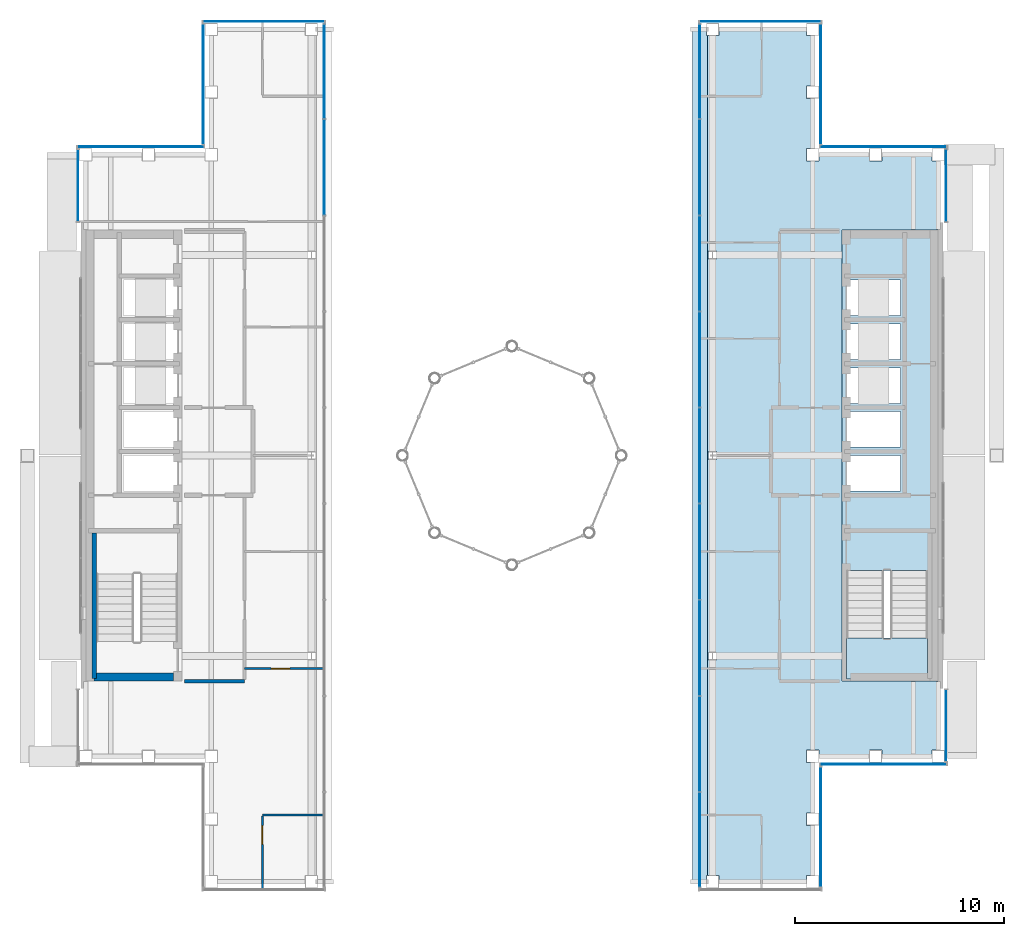
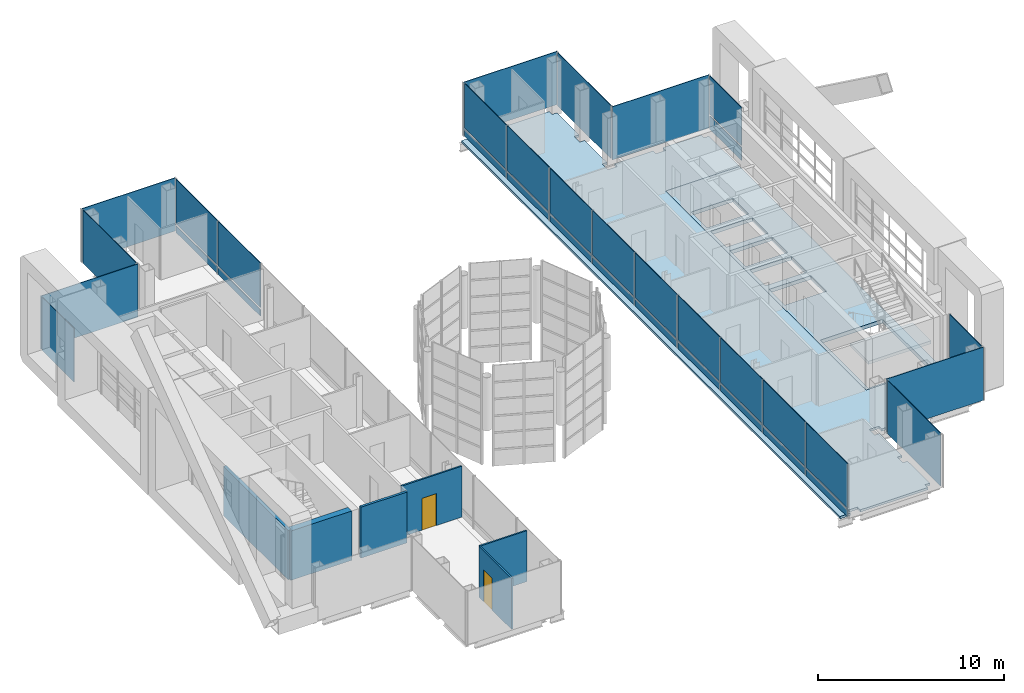
# One storey, part 12 of 21: 34 plates, 6 walls, 4 slabs, 2 doors, 2 openings, 14 elements without a shape of their own.
"""IFC4 building model written with IfcOpenShell, lengths in metres."""

from ifc_helpers import new_model, si_unit, direction, frame, frame_2d, origin, origin_2d, place, context, subcontext, project, spatial, polyline, rectangle, outline, extrude, material, layer, layer_set, type_object, element, fill, aggregate, save


model = new_model("IFC4")

# Units and contexts
model_context = context("Model", 3, precision=1e-05, world=origin(), true_north=direction((0.0, 1.0)))
body_context = subcontext(model_context, "Body", "Model", "MODEL_VIEW")
ifc_project = project(units=[si_unit("LENGTHUNIT", "METRE"), si_unit("AREAUNIT", "SQUARE_METRE"), si_unit("VOLUMEUNIT", "CUBIC_METRE"), si_unit("PLANEANGLEUNIT", "RADIAN"), si_unit("MASSUNIT", "GRAM", prefix="KILO")], contexts=[model_context])

# Site, building, storey
site_placement = place(None, origin())
site = spatial("IfcSite", under=ifc_project, at=site_placement, CompositionType="ELEMENT")
building_placement = place(site_placement, origin())
building = spatial("IfcBuilding", under=site, at=building_placement, Name="Cobrizo Arcos Hotel Tower", CompositionType="ELEMENT")
storey_placement = place(building_placement, frame((0.0, 0.0, 276.0)))
storey = spatial("IfcBuildingStorey", under=building, at=storey_placement, Name="L73", CompositionType="ELEMENT", Elevation=276.0)

# Curtain wall, plate
ifc_material_1 = material(Name="Aluminium 6063-T6 anodised bronze", Category="aluminium")
curtain_wall_type_1 = type_object("IfcCurtainWallType", Name="CW-A guest facade", PredefinedType="NOTDEFINED", material=ifc_material_1)
curtain_wall_1_placement = place(storey_placement, origin())
curtain_wall_1 = element("IfcCurtainWall", 1, at=curtain_wall_1_placement, inside=storey, type_object=curtain_wall_type_1, Name="CW-A L73 E face", PredefinedType="NOTDEFINED")
ifc_material_2 = material(Name="Glass clear laminated low-e", Category="glass")
ifc_layer_1 = layer(ifc_material_2, 0.0400390625)
ifc_layer_set_1 = layer_set([ifc_layer_1], Name="CW-A glass panel")
plate_type_1 = type_object("IfcPlateType", Name="CW-A glass panel", PredefinedType="CURTAIN_PANEL", material=ifc_layer_set_1)
plate_1_placement = place(storey_placement, frame((20.77490234375, 12.925048828125, 0.990234375), z_axis=(0.0, 0.0, 1.0), x_axis=(0.0, 1.0, 0.0)))
plate_1 = element("IfcPlate", 2, at=plate_1_placement, type_object=plate_type_1, Name="CW-A glass panel 2304", PredefinedType="CURTAIN_PANEL", context=body_context, shape_type="SweptSolid", body=[
    extrude(rectangle(XDim=3.429931640625, YDim=0.0400390625, at=origin_2d()), origin(), (0.0, 0.0, 1.0), 2.510009765625),
])

curtain_wall_2_placement = place(storey_placement, origin())
curtain_wall_2 = element("IfcCurtainWall", 3, at=curtain_wall_2_placement, inside=storey, type_object=curtain_wall_type_1, Name="CW-A L73 N face", PredefinedType="NOTDEFINED")
ifc_material_3 = material(Name="Aluminium composite panel pale metal", Category="aluminium")
ifc_layer_2 = layer(ifc_material_3, 0.0400390625)
ifc_layer_set_2 = layer_set([ifc_layer_2], Name="CW-A spandrel panel")
plate_type_2 = type_object("IfcPlateType", Name="CW-A spandrel panel", PredefinedType="CURTAIN_PANEL", material=ifc_layer_set_2)
plate_2_placement = place(storey_placement, frame((11.882568359375, 20.77490234375, 0.0), z_axis=(0.0, 0.0, 1.0), x_axis=(-1.0, 0.0, 0.0)))
plate_2 = element("IfcPlate", 4, at=plate_2_placement, type_object=plate_type_2, Name="CW-A spandrel panel 2290", PredefinedType="CURTAIN_PANEL", context=body_context, shape_type="SweptSolid", body=[
    extrude(rectangle(XDim=5.81494140625, YDim=0.0400390625, at=origin_2d()), origin(), (0.0, 0.0, 1.0), 3.5),
])
aggregate(curtain_wall_2, [plate_2])

curtain_wall_3_placement = place(storey_placement, origin())
curtain_wall_3 = element("IfcCurtainWall", 5, at=curtain_wall_3_placement, inside=storey, type_object=curtain_wall_type_1, Name="CW-A L73 E face", PredefinedType="NOTDEFINED")
plate_3_placement = place(storey_placement, frame((14.77490234375, -17.77490234375, 0.0), z_axis=(0.0, 0.0, 1.0), x_axis=(0.0, 1.0, 0.0)))
plate_3 = element("IfcPlate", 6, at=plate_3_placement, type_object=plate_type_2, Name="CW-A spandrel panel 2301", PredefinedType="CURTAIN_PANEL", context=body_context, shape_type="SweptSolid", body=[
    extrude(rectangle(XDim=5.72998046875, YDim=0.0400390625, at=origin_2d()), origin(), (0.0, 0.0, 1.0), 3.5),
])
aggregate(curtain_wall_3, [plate_3])

curtain_wall_4_placement = place(storey_placement, origin())
curtain_wall_4 = element("IfcCurtainWall", 7, at=curtain_wall_4_placement, inside=storey, type_object=curtain_wall_type_1, Name="CW-A L73 S face", PredefinedType="NOTDEFINED")
plate_4_placement = place(storey_placement, frame((17.77490234375, -14.77490234375, 0.0), z_axis=(0.0, 0.0, 1.0), x_axis=(1.0, 0.0, 0.0)))
plate_4 = element("IfcPlate", 8, at=plate_4_placement, type_object=plate_type_2, Name="CW-A spandrel panel 2302", PredefinedType="CURTAIN_PANEL", context=body_context, shape_type="SweptSolid", body=[
    extrude(rectangle(XDim=6.030029296875, YDim=0.0400390625, at=origin_2d()), origin(), (0.0, 0.0, 1.0), 3.5),
])
aggregate(curtain_wall_4, [plate_4])

curtain_wall_5_placement = place(storey_placement, origin())
curtain_wall_5 = element("IfcCurtainWall", 9, at=curtain_wall_5_placement, inside=storey, type_object=curtain_wall_type_1, Name="CW-A L73 E face", PredefinedType="NOTDEFINED")
plate_5_placement = place(storey_placement, frame((20.77490234375, -12.925048828125, 0.0), z_axis=(0.0, 0.0, 1.0), x_axis=(0.0, 1.0, 0.0)))
plate_5 = element("IfcPlate", 10, at=plate_5_placement, type_object=plate_type_2, Name="CW-A spandrel panel 2303", PredefinedType="CURTAIN_PANEL", context=body_context, shape_type="SweptSolid", body=[
    extrude(rectangle(XDim=3.429931640625, YDim=0.0400390625, at=origin_2d()), origin(), (0.0, 0.0, 1.0), 3.5),
])
aggregate(curtain_wall_5, [plate_5])

# Plate
plate_6_placement = place(storey_placement, frame((20.77490234375, 12.925048828125, 0.0), z_axis=(0.0, 0.0, 1.0), x_axis=(0.0, 1.0, 0.0)))
plate_6 = element("IfcPlate", 11, at=plate_6_placement, type_object=plate_type_2, Name="CW-A spandrel panel 2304", PredefinedType="CURTAIN_PANEL", context=body_context, shape_type="SweptSolid", body=[
    extrude(rectangle(XDim=3.429931640625, YDim=0.0400390625, at=origin_2d()), origin(), (0.0, 0.0, 1.0), 0.8701171875),
])

aggregate(curtain_wall_1, [plate_6, plate_1])

# Curtain wall, plate
curtain_wall_6_placement = place(storey_placement, origin())
curtain_wall_6 = element("IfcCurtainWall", 12, at=curtain_wall_6_placement, inside=storey, type_object=curtain_wall_type_1, Name="CW-A L73 N face", PredefinedType="NOTDEFINED")
plate_7_placement = place(storey_placement, frame((17.77490234375, 14.77490234375, 0.0), z_axis=(0.0, 0.0, 1.0), x_axis=(-1.0, 0.0, 0.0)))
plate_7 = element("IfcPlate", 13, at=plate_7_placement, type_object=plate_type_2, Name="CW-A spandrel panel 2305", PredefinedType="CURTAIN_PANEL", context=body_context, shape_type="SweptSolid", body=[
    extrude(rectangle(XDim=6.030029296875, YDim=0.0400390625, at=origin_2d()), origin(), (0.0, 0.0, 1.0), 3.5),
])
aggregate(curtain_wall_6, [plate_7])

curtain_wall_7_placement = place(storey_placement, origin())
curtain_wall_7 = element("IfcCurtainWall", 14, at=curtain_wall_7_placement, inside=storey, type_object=curtain_wall_type_1, Name="CW-A L73 E face", PredefinedType="NOTDEFINED")
plate_8_placement = place(storey_placement, frame((14.77490234375, 17.77490234375, 0.0), z_axis=(0.0, 0.0, 1.0), x_axis=(0.0, 1.0, 0.0)))
plate_8 = element("IfcPlate", 15, at=plate_8_placement, type_object=plate_type_2, Name="CW-A spandrel panel 2306", PredefinedType="CURTAIN_PANEL", context=body_context, shape_type="SweptSolid", body=[
    extrude(rectangle(XDim=5.72998046875, YDim=0.0400390625, at=origin_2d()), origin(), (0.0, 0.0, 1.0), 3.5),
])
aggregate(curtain_wall_7, [plate_8])

curtain_wall_8_placement = place(storey_placement, origin())
curtain_wall_8 = element("IfcCurtainWall", 16, at=curtain_wall_8_placement, inside=storey, type_object=curtain_wall_type_1, Name="CW-A L73 N face", PredefinedType="NOTDEFINED")
plate_9_placement = place(storey_placement, frame((-11.882568359375, 20.77490234375, 0.0), z_axis=(0.0, 0.0, 1.0), x_axis=(-1.0, 0.0, 0.0)))
plate_9 = element("IfcPlate", 17, at=plate_9_placement, type_object=plate_type_2, Name="CW-A spandrel panel 2317", PredefinedType="CURTAIN_PANEL", context=body_context, shape_type="SweptSolid", body=[
    extrude(rectangle(XDim=5.81494140625, YDim=0.0400390625, at=origin_2d()), origin(), (0.0, 0.0, 1.0), 3.5),
])
aggregate(curtain_wall_8, [plate_9])

curtain_wall_9_placement = place(storey_placement, origin())
curtain_wall_9 = element("IfcCurtainWall", 18, at=curtain_wall_9_placement, inside=storey, type_object=curtain_wall_type_1, Name="CW-A L73 W face", PredefinedType="NOTDEFINED")
plate_10_placement = place(storey_placement, frame((-14.77490234375, 17.77490234375, 0.0), z_axis=(0.0, 0.0, 1.0), x_axis=(0.0, -1.0, 0.0)))
plate_10 = element("IfcPlate", 19, at=plate_10_placement, type_object=plate_type_2, Name="CW-A spandrel panel 2318", PredefinedType="CURTAIN_PANEL", context=body_context, shape_type="SweptSolid", body=[
    extrude(rectangle(XDim=5.72998046875, YDim=0.0400390625, at=origin_2d()), origin(), (0.0, 0.0, 1.0), 3.5),
])
aggregate(curtain_wall_9, [plate_10])

curtain_wall_10_placement = place(storey_placement, origin())
curtain_wall_10 = element("IfcCurtainWall", 20, at=curtain_wall_10_placement, inside=storey, type_object=curtain_wall_type_1, Name="CW-A L73 N face", PredefinedType="NOTDEFINED")
plate_11_placement = place(storey_placement, frame((-17.77490234375, 14.77490234375, 0.0), z_axis=(0.0, 0.0, 1.0), x_axis=(-1.0, 0.0, 0.0)))
plate_11 = element("IfcPlate", 21, at=plate_11_placement, type_object=plate_type_2, Name="CW-A spandrel panel 2319", PredefinedType="CURTAIN_PANEL", context=body_context, shape_type="SweptSolid", body=[
    extrude(rectangle(XDim=6.030029296875, YDim=0.0400390625, at=origin_2d()), origin(), (0.0, 0.0, 1.0), 3.5),
])
aggregate(curtain_wall_10, [plate_11])

curtain_wall_11_placement = place(storey_placement, origin())
curtain_wall_11 = element("IfcCurtainWall", 22, at=curtain_wall_11_placement, inside=storey, type_object=curtain_wall_type_1, Name="CW-A L73 W face", PredefinedType="NOTDEFINED")
plate_12_placement = place(storey_placement, frame((-20.77490234375, 12.925048828125, 0.0), z_axis=(0.0, 0.0, 1.0), x_axis=(0.0, -1.0, 0.0)))
plate_12 = element("IfcPlate", 23, at=plate_12_placement, type_object=plate_type_2, Name="CW-A spandrel panel 2320", PredefinedType="CURTAIN_PANEL", context=body_context, shape_type="SweptSolid", body=[
    extrude(rectangle(XDim=3.429931640625, YDim=0.0400390625, at=origin_2d()), origin(), (0.0, 0.0, 1.0), 3.5),
])
aggregate(curtain_wall_11, [plate_12])

# Curtain wall, plates
curtain_wall_type_2 = type_object("IfcCurtainWallType", Name="CW-C arch infill and crown glazing", PredefinedType="NOTDEFINED", material=ifc_material_1)
curtain_wall_12_placement = place(storey_placement, origin())
curtain_wall_12 = element("IfcCurtainWall", 24, at=curtain_wall_12_placement, inside=storey, type_object=curtain_wall_type_2, Name="CW-C L73 W face", PredefinedType="NOTDEFINED")
ifc_layer_3 = layer(ifc_material_2, 0.0400390625)
ifc_layer_set_3 = layer_set([ifc_layer_3], Name="CW-C glass panel")
plate_type_3 = type_object("IfcPlateType", Name="CW-C glass panel", PredefinedType="CURTAIN_PANEL", material=ifc_layer_set_3)
plate_13_placement = place(storey_placement, frame((8.989990234375, 18.382568359375, 0.0), z_axis=(0.0, 0.0, 1.0), x_axis=(0.0, -1.0, 0.0)))
plate_13 = element("IfcPlate", 25, at=plate_13_placement, type_object=plate_type_3, Name="CW-C glass panel 2291", PredefinedType="CURTAIN_PANEL", context=body_context, shape_type="SweptSolid", body=[
    extrude(rectangle(XDim=4.4951171875, YDim=0.0400390625, at=origin_2d()), origin(), (0.0, 0.0, 1.0), 0.429931640625),
])
plate_14_placement = place(storey_placement, frame((8.989990234375, 18.382568359375, 0.56982421875), z_axis=(0.0, 0.0, 1.0), x_axis=(0.0, -1.0, 0.0)))
plate_14 = element("IfcPlate", 26, at=plate_14_placement, type_object=plate_type_3, Name="CW-C glass panel 2291", PredefinedType="CURTAIN_PANEL", context=body_context, shape_type="SweptSolid", body=[
    extrude(rectangle(XDim=4.4951171875, YDim=0.0400390625, at=origin_2d()), origin(), (0.0, 0.0, 1.0), 2.929931640625),
])
plate_15_placement = place(storey_placement, frame((8.989990234375, 13.800048828125, 0.0), z_axis=(0.0, 0.0, 1.0), x_axis=(0.0, -1.0, 0.0)))
plate_15 = element("IfcPlate", 27, at=plate_15_placement, type_object=plate_type_3, Name="CW-C glass panel 2292", PredefinedType="CURTAIN_PANEL", context=body_context, shape_type="SweptSolid", body=[
    extrude(rectangle(XDim=4.530029296875, YDim=0.0400390625, at=origin_2d()), origin(), (0.0, 0.0, 1.0), 0.429931640625),
])
plate_16_placement = place(storey_placement, frame((8.989990234375, 13.800048828125, 0.56982421875), z_axis=(0.0, 0.0, 1.0), x_axis=(0.0, -1.0, 0.0)))
plate_16 = element("IfcPlate", 28, at=plate_16_placement, type_object=plate_type_3, Name="CW-C glass panel 2292", PredefinedType="CURTAIN_PANEL", context=body_context, shape_type="SweptSolid", body=[
    extrude(rectangle(XDim=4.530029296875, YDim=0.0400390625, at=origin_2d()), origin(), (0.0, 0.0, 1.0), 2.929931640625),
])
plate_17_placement = place(storey_placement, frame((8.989990234375, 9.199951171875, 0.0), z_axis=(0.0, 0.0, 1.0), x_axis=(0.0, -1.0, 0.0)))
plate_17 = element("IfcPlate", 29, at=plate_17_placement, type_object=plate_type_3, Name="CW-C glass panel 2293", PredefinedType="CURTAIN_PANEL", context=body_context, shape_type="SweptSolid", body=[
    extrude(rectangle(XDim=4.530029296875, YDim=0.0400390625, at=origin_2d()), origin(), (0.0, 0.0, 1.0), 0.429931640625),
])
plate_18_placement = place(storey_placement, frame((8.989990234375, 9.199951171875, 0.56982421875), z_axis=(0.0, 0.0, 1.0), x_axis=(0.0, -1.0, 0.0)))
plate_18 = element("IfcPlate", 30, at=plate_18_placement, type_object=plate_type_3, Name="CW-C glass panel 2293", PredefinedType="CURTAIN_PANEL", context=body_context, shape_type="SweptSolid", body=[
    extrude(rectangle(XDim=4.530029296875, YDim=0.0400390625, at=origin_2d()), origin(), (0.0, 0.0, 1.0), 2.929931640625),
])
plate_19_placement = place(storey_placement, frame((8.989990234375, 4.60009765625, 0.0), z_axis=(0.0, 0.0, 1.0), x_axis=(0.0, -1.0, 0.0)))
plate_19 = element("IfcPlate", 31, at=plate_19_placement, type_object=plate_type_3, Name="CW-C glass panel 2294", PredefinedType="CURTAIN_PANEL", context=body_context, shape_type="SweptSolid", body=[
    extrude(rectangle(XDim=4.530029296875, YDim=0.0400390625, at=origin_2d()), origin(), (0.0, 0.0, 1.0), 0.429931640625),
])
plate_20_placement = place(storey_placement, frame((8.989990234375, 4.60009765625, 0.56982421875), z_axis=(0.0, 0.0, 1.0), x_axis=(0.0, -1.0, 0.0)))
plate_20 = element("IfcPlate", 32, at=plate_20_placement, type_object=plate_type_3, Name="CW-C glass panel 2294", PredefinedType="CURTAIN_PANEL", context=body_context, shape_type="SweptSolid", body=[
    extrude(rectangle(XDim=4.530029296875, YDim=0.0400390625, at=origin_2d()), origin(), (0.0, 0.0, 1.0), 2.929931640625),
])
plate_21_placement = place(storey_placement, frame((8.989990234375, 0.0, 0.0), z_axis=(0.0, 0.0, 1.0), x_axis=(0.0, -1.0, 0.0)))
plate_21 = element("IfcPlate", 33, at=plate_21_placement, type_object=plate_type_3, Name="CW-C glass panel 2295", PredefinedType="CURTAIN_PANEL", context=body_context, shape_type="SweptSolid", body=[
    extrude(rectangle(XDim=4.530029296875, YDim=0.0400390625, at=origin_2d()), origin(), (0.0, 0.0, 1.0), 0.429931640625),
])
plate_22_placement = place(storey_placement, frame((8.989990234375, 0.0, 0.56982421875), z_axis=(0.0, 0.0, 1.0), x_axis=(0.0, -1.0, 0.0)))
plate_22 = element("IfcPlate", 34, at=plate_22_placement, type_object=plate_type_3, Name="CW-C glass panel 2295", PredefinedType="CURTAIN_PANEL", context=body_context, shape_type="SweptSolid", body=[
    extrude(rectangle(XDim=4.530029296875, YDim=0.0400390625, at=origin_2d()), origin(), (0.0, 0.0, 1.0), 2.929931640625),
])
plate_23_placement = place(storey_placement, frame((8.989990234375, -4.60009765625, 0.0), z_axis=(0.0, 0.0, 1.0), x_axis=(0.0, -1.0, 0.0)))
plate_23 = element("IfcPlate", 35, at=plate_23_placement, type_object=plate_type_3, Name="CW-C glass panel 2296", PredefinedType="CURTAIN_PANEL", context=body_context, shape_type="SweptSolid", body=[
    extrude(rectangle(XDim=4.530029296875, YDim=0.0400390625, at=origin_2d()), origin(), (0.0, 0.0, 1.0), 0.429931640625),
])
plate_24_placement = place(storey_placement, frame((8.989990234375, -4.60009765625, 0.56982421875), z_axis=(0.0, 0.0, 1.0), x_axis=(0.0, -1.0, 0.0)))
plate_24 = element("IfcPlate", 36, at=plate_24_placement, type_object=plate_type_3, Name="CW-C glass panel 2296", PredefinedType="CURTAIN_PANEL", context=body_context, shape_type="SweptSolid", body=[
    extrude(rectangle(XDim=4.530029296875, YDim=0.0400390625, at=origin_2d()), origin(), (0.0, 0.0, 1.0), 2.929931640625),
])
plate_25_placement = place(storey_placement, frame((8.989990234375, -9.199951171875, 0.0), z_axis=(0.0, 0.0, 1.0), x_axis=(0.0, -1.0, 0.0)))
plate_25 = element("IfcPlate", 37, at=plate_25_placement, type_object=plate_type_3, Name="CW-C glass panel 2297", PredefinedType="CURTAIN_PANEL", context=body_context, shape_type="SweptSolid", body=[
    extrude(rectangle(XDim=4.530029296875, YDim=0.0400390625, at=origin_2d()), origin(), (0.0, 0.0, 1.0), 0.429931640625),
])
plate_26_placement = place(storey_placement, frame((8.989990234375, -9.199951171875, 0.56982421875), z_axis=(0.0, 0.0, 1.0), x_axis=(0.0, -1.0, 0.0)))
plate_26 = element("IfcPlate", 38, at=plate_26_placement, type_object=plate_type_3, Name="CW-C glass panel 2297", PredefinedType="CURTAIN_PANEL", context=body_context, shape_type="SweptSolid", body=[
    extrude(rectangle(XDim=4.530029296875, YDim=0.0400390625, at=origin_2d()), origin(), (0.0, 0.0, 1.0), 2.929931640625),
])
plate_27_placement = place(storey_placement, frame((8.989990234375, -13.800048828125, 0.0), z_axis=(0.0, 0.0, 1.0), x_axis=(0.0, -1.0, 0.0)))
plate_27 = element("IfcPlate", 39, at=plate_27_placement, type_object=plate_type_3, Name="CW-C glass panel 2298", PredefinedType="CURTAIN_PANEL", context=body_context, shape_type="SweptSolid", body=[
    extrude(rectangle(XDim=4.530029296875, YDim=0.0400390625, at=origin_2d()), origin(), (0.0, 0.0, 1.0), 0.429931640625),
])
plate_28_placement = place(storey_placement, frame((8.989990234375, -13.800048828125, 0.56982421875), z_axis=(0.0, 0.0, 1.0), x_axis=(0.0, -1.0, 0.0)))
plate_28 = element("IfcPlate", 40, at=plate_28_placement, type_object=plate_type_3, Name="CW-C glass panel 2298", PredefinedType="CURTAIN_PANEL", context=body_context, shape_type="SweptSolid", body=[
    extrude(rectangle(XDim=4.530029296875, YDim=0.0400390625, at=origin_2d()), origin(), (0.0, 0.0, 1.0), 2.929931640625),
])
plate_29_placement = place(storey_placement, frame((8.989990234375, -18.382568359375, 0.0), z_axis=(0.0, 0.0, 1.0), x_axis=(0.0, -1.0, 0.0)))
plate_29 = element("IfcPlate", 41, at=plate_29_placement, type_object=plate_type_3, Name="CW-C glass panel 2299", PredefinedType="CURTAIN_PANEL", context=body_context, shape_type="SweptSolid", body=[
    extrude(rectangle(XDim=4.4951171875, YDim=0.0400390625, at=origin_2d()), origin(), (0.0, 0.0, 1.0), 0.429931640625),
])
plate_30_placement = place(storey_placement, frame((8.989990234375, -18.382568359375, 0.56982421875), z_axis=(0.0, 0.0, 1.0), x_axis=(0.0, -1.0, 0.0)))
plate_30 = element("IfcPlate", 42, at=plate_30_placement, type_object=plate_type_3, Name="CW-C glass panel 2299", PredefinedType="CURTAIN_PANEL", context=body_context, shape_type="SweptSolid", body=[
    extrude(rectangle(XDim=4.4951171875, YDim=0.0400390625, at=origin_2d()), origin(), (0.0, 0.0, 1.0), 2.929931640625),
])
aggregate(curtain_wall_12, [plate_13, plate_14, plate_15, plate_16, plate_17, plate_18, plate_19, plate_20, plate_21, plate_22, plate_23, plate_24, plate_25, plate_26, plate_27, plate_28, plate_29, plate_30])

curtain_wall_13_placement = place(storey_placement, origin())
curtain_wall_13 = element("IfcCurtainWall", 43, at=curtain_wall_13_placement, inside=storey, type_object=curtain_wall_type_2, Name="CW-C L73 E face", PredefinedType="NOTDEFINED")
plate_31_placement = place(storey_placement, frame((-8.989990234375, 13.800048828125, 0.0), z_axis=(0.0, 0.0, 1.0), x_axis=(0.0, 1.0, 0.0)))
plate_31 = element("IfcPlate", 44, at=plate_31_placement, type_object=plate_type_3, Name="CW-C glass panel 2315", PredefinedType="CURTAIN_PANEL", context=body_context, shape_type="SweptSolid", body=[
    extrude(rectangle(XDim=4.530029296875, YDim=0.0400390625, at=origin_2d()), origin(), (0.0, 0.0, 1.0), 0.429931640625),
])
plate_32_placement = place(storey_placement, frame((-8.989990234375, 13.800048828125, 0.56982421875), z_axis=(0.0, 0.0, 1.0), x_axis=(0.0, 1.0, 0.0)))
plate_32 = element("IfcPlate", 45, at=plate_32_placement, type_object=plate_type_3, Name="CW-C glass panel 2315", PredefinedType="CURTAIN_PANEL", context=body_context, shape_type="SweptSolid", body=[
    extrude(rectangle(XDim=4.530029296875, YDim=0.0400390625, at=origin_2d()), origin(), (0.0, 0.0, 1.0), 2.929931640625),
])
plate_33_placement = place(storey_placement, frame((-8.989990234375, 18.382568359375, 0.0), z_axis=(0.0, 0.0, 1.0), x_axis=(0.0, 1.0, 0.0)))
plate_33 = element("IfcPlate", 46, at=plate_33_placement, type_object=plate_type_3, Name="CW-C glass panel 2316", PredefinedType="CURTAIN_PANEL", context=body_context, shape_type="SweptSolid", body=[
    extrude(rectangle(XDim=4.4951171875, YDim=0.0400390625, at=origin_2d()), origin(), (0.0, 0.0, 1.0), 0.429931640625),
])
plate_34_placement = place(storey_placement, frame((-8.989990234375, 18.382568359375, 0.56982421875), z_axis=(0.0, 0.0, 1.0), x_axis=(0.0, 1.0, 0.0)))
plate_34 = element("IfcPlate", 47, at=plate_34_placement, type_object=plate_type_3, Name="CW-C glass panel 2316", PredefinedType="CURTAIN_PANEL", context=body_context, shape_type="SweptSolid", body=[
    extrude(rectangle(XDim=4.4951171875, YDim=0.0400390625, at=origin_2d()), origin(), (0.0, 0.0, 1.0), 2.929931640625),
])
aggregate(curtain_wall_13, [plate_31, plate_32, plate_33, plate_34])

# Slabs
ifc_material_4 = material(Name="Concrete f'c 35 MPa", Category="concrete")
ifc_layer_4 = layer(ifc_material_4, 0.14990234375)
ifc_layer_set_4 = layer_set([ifc_layer_4], Name="Composite floor slab 150 f'c 35")
slab_type_1 = type_object("IfcSlabType", Name="Composite floor slab 150 f'c 35", PredefinedType="FLOOR", material=ifc_layer_set_4)
slab_1_placement = place(storey_placement, frame((0.0, 0.0, -0.14990234375)))
element("IfcSlab", 48, at=slab_1_placement, inside=storey, type_object=slab_type_1, Name="Floor slab S5, L73, no. 02", PredefinedType="FLOOR", context=body_context, shape_type="SweptSolid", body=[
    extrude(outline(polyline([(14.39990234375, 17.699951171875), (14.10009765625, 17.699951171875), (14.10009765625, 17.10009765625), (14.39990234375, 17.10009765625), (14.39990234375, 14.699951171875), (14.10009765625, 14.699951171875), (14.10009765625, 14.10009765625), (14.699951171875, 14.10009765625), (14.699951171875, 14.39990234375), (17.10009765625, 14.39990234375), (17.10009765625, 14.10009765625), (17.699951171875, 14.10009765625), (17.699951171875, 14.39990234375), (20.10009765625, 14.39990234375), (20.10009765625, 14.10009765625), (20.39990234375, 14.10009765625), (20.39990234375, 10.800048828125), (15.800048828125, 10.800048828125), (15.800048828125, -10.800048828125), (20.39990234375, -10.800048828125), (20.39990234375, -14.10009765625), (20.10009765625, -14.10009765625), (20.10009765625, -14.39990234375), (17.699951171875, -14.39990234375), (17.699951171875, -14.10009765625), (17.10009765625, -14.10009765625), (17.10009765625, -14.39990234375), (14.699951171875, -14.39990234375), (14.699951171875, -14.10009765625), (14.10009765625, -14.10009765625), (14.10009765625, -14.699951171875), (14.39990234375, -14.699951171875), (14.39990234375, -17.10009765625), (14.10009765625, -17.10009765625), (14.10009765625, -17.699951171875), (14.39990234375, -17.699951171875), (14.39990234375, -20.10009765625), (14.10009765625, -20.10009765625), (14.10009765625, -20.39990234375), (9.89990234375, -20.39990234375), (9.89990234375, -20.10009765625), (9.364990234375, -20.10009765625), (9.364990234375, 20.10009765625), (9.89990234375, 20.10009765625), (9.89990234375, 20.39990234375), (14.10009765625, 20.39990234375), (14.10009765625, 20.10009765625), (14.39990234375, 20.10009765625), (14.39990234375, 17.699951171875)]), holes=[polyline([(9.7841796875, -9.7841796875), (9.7841796875, -9.415771484375), (9.415771484375, -9.415771484375), (9.415771484375, -9.7841796875), (9.7841796875, -9.7841796875)]), polyline([(9.7841796875, -0.18408203125), (9.7841796875, 0.18408203125), (9.415771484375, 0.18408203125), (9.415771484375, -0.18408203125), (9.7841796875, -0.18408203125)]), polyline([(9.7841796875, 9.415771484375), (9.7841796875, 9.7841796875), (9.415771484375, 9.7841796875), (9.415771484375, 9.415771484375), (9.7841796875, 9.415771484375)])]), origin(), (0.0, 0.0, 1.0), 0.14990234375),
])
ifc_material_5 = material(Name="Concrete f'c 40 MPa", Category="concrete")
ifc_layer_5 = layer(ifc_material_5, 0.25)
ifc_layer_set_5 = layer_set([ifc_layer_5], Name="RC core floor slab 250 f'c 40")
slab_type_2 = type_object("IfcSlabType", Name="RC core floor slab 250 f'c 40", PredefinedType="FLOOR", material=ifc_layer_set_5)
slab_2_placement = place(storey_placement, frame((0.0, 0.0, -0.25)))
element("IfcSlab", 49, at=slab_2_placement, inside=storey, type_object=slab_type_2, Name="Core floor slab CS7, east core, L73", PredefinedType="FLOOR", context=body_context, shape_type="SweptSolid", body=[
    extrude(outline(polyline([(15.800048828125, 10.800048828125), (20.39990234375, 10.800048828125), (20.39990234375, -10.800048828125), (15.800048828125, -10.800048828125), (15.800048828125, 10.800048828125)]), holes=[polyline([(19.89794921875, -10.697998046875), (19.89794921875, -5.501953125), (16.001953125, -5.501953125), (16.001953125, -10.697998046875), (19.89794921875, -10.697998046875)]), polyline([(16.0, 0.0), (16.0, -1.699951171875), (18.60009765625, -1.699951171875), (18.60009765625, 0.0), (16.0, 0.0)]), polyline([(16.0, 2.10009765625), (16.0, 0.39990234375), (18.60009765625, 0.39990234375), (18.60009765625, 2.10009765625), (16.0, 2.10009765625)]), polyline([(16.0, 4.199951171875), (16.0, 2.5), (18.60009765625, 2.5), (18.60009765625, 4.199951171875), (16.0, 4.199951171875)]), polyline([(18.60009765625, 6.300048828125), (16.0, 6.300048828125), (16.0, 4.60009765625), (18.60009765625, 4.60009765625), (18.60009765625, 6.300048828125)]), polyline([(18.60009765625, 8.39990234375), (16.0, 8.39990234375), (16.0, 6.699951171875), (18.60009765625, 6.699951171875), (18.60009765625, 8.39990234375)])]), origin(), (0.0, 0.0, 1.0), 0.25),
])
ifc_layer_6 = layer(ifc_material_4, 0.14990234375)
ifc_layer_set_6 = layer_set([ifc_layer_6], Name="RC roof slab 150 f'c 35")
slab_type_3 = type_object("IfcSlabType", Name="RC roof slab 150 f'c 35", PredefinedType="ROOF", material=ifc_layer_set_6)
slab_3_placement = place(storey_placement, frame((0.0, 0.0, -0.14990234375)))
element("IfcSlab", 50, at=slab_3_placement, inside=storey, type_object=slab_type_3, Name="Roof slab RS5, L73, no. 02", PredefinedType="ROOF", context=body_context, shape_type="SweptSolid", body=[
    extrude(outline(polyline([(9.300048828125, 20.39990234375), (9.300048828125, 20.10009765625), (9.364990234375, 20.10009765625), (9.364990234375, -20.10009765625), (9.300048828125, -20.10009765625), (9.300048828125, -20.39990234375), (8.635009765625, -20.39990234375), (8.635009765625, 20.39990234375), (9.300048828125, 20.39990234375)])), origin(), (0.0, 0.0, 1.0), 0.14990234375),
])

# Stair, slab
stair_type = type_object("IfcStairType", Name="Exit stair", PredefinedType="HALF_TURN_STAIR", material=ifc_material_5)
stair_placement = place(storey_placement, origin())
stair = element("IfcStair", 51, at=stair_placement, inside=storey, type_object=stair_type, Name="L73 Exit stair ST-E", PredefinedType="HALF_TURN_STAIR")
ifc_layer_7 = layer(ifc_material_5, 0.199951171875)
ifc_layer_set_7 = layer_set([ifc_layer_7], Name="Stair landing")
slab_type_4 = type_object("IfcSlabType", Name="Stair landing", PredefinedType="LANDING", material=ifc_layer_set_7)
slab_4_placement = place(storey_placement, frame((0.0, 0.0, 1.550048828125)))
slab_4 = element("IfcSlab", 52, at=slab_4_placement, type_object=slab_type_4, Name="ST-E landing 1", PredefinedType="LANDING", context=body_context, shape_type="SweptSolid", body=[
    extrude(outline(polyline([(16.0, -8.739990234375), (16.0, -10.699951171875), (19.89990234375, -10.699951171875), (19.89990234375, -8.739990234375), (16.0, -8.739990234375)])), origin(), (0.0, 0.0, 1.0), 0.199951171875),
])
aggregate(stair, [slab_4])

# Walls
ifc_material_6 = material(Name="Gypsum board partition")
ifc_layer_8 = layer(ifc_material_6, 0.14990234375)
ifc_layer_set_8 = layer_set([ifc_layer_8], Name="Corridor wall EI 60 150")
wall_type_1 = type_object("IfcWallType", Name="Corridor wall EI 60 150", PredefinedType="PARTITIONING", material=ifc_layer_set_8)
wall_1_placement = place(storey_placement, frame((-15.679931640625, -10.800048828125, 0.0), z_axis=(0.0, 0.0, 1.0), x_axis=(1.0, 0.0, 0.0)))
element("IfcWall", 53, at=wall_1_placement, inside=storey, type_object=wall_type_1, Name="Partition 003", PredefinedType="PARTITIONING", context=body_context, shape_type="SweptSolid", body=[
    extrude(rectangle(XDim=2.8798828125, YDim=0.14990234375, at=frame_2d((1.43994140625, 0.0))), origin(), (0.0, 0.0, 1.0), 3.35009765625),
])
ifc_layer_9 = layer(ifc_material_6, 0.10009765625)
ifc_layer_set_9 = layer_set([ifc_layer_9], Name="Partition EI 30 100")
wall_type_2 = type_object("IfcWallType", Name="Partition EI 30 100", PredefinedType="PARTITIONING", material=ifc_layer_set_9)
wall_2_placement = place(storey_placement, frame((-11.949951171875, -17.199951171875, 0.0), z_axis=(0.0, 0.0, 1.0), x_axis=(1.0, 0.0, 0.0)))
element("IfcWall", 54, at=wall_2_placement, inside=storey, type_object=wall_type_2, Name="Partition 001", PredefinedType="PARTITIONING", context=body_context, shape_type="SweptSolid", body=[
    extrude(rectangle(XDim=2.9150390625, YDim=0.10009765625, at=frame_2d((1.45751953125, 0.0))), origin(), (0.0, 0.0, 1.0), 3.35009765625),
])

# Wall, opening, door
wall_3_placement = place(storey_placement, frame((-12.800048828125, -10.199951171875, 0.0), z_axis=(0.0, 0.0, 1.0), x_axis=(1.0, 0.0, 0.0)))
wall_3 = element("IfcWall", 55, at=wall_3_placement, inside=storey, type_object=wall_type_2, Name="Partition 005", PredefinedType="PARTITIONING", context=body_context, shape_type="SweptSolid", body=[
    extrude(rectangle(XDim=3.76513671875, YDim=0.10009765625, at=frame_2d((1.882568359375, 0.0))), origin(), (0.0, 0.0, 1.0), 3.35009765625),
])
opening_1_placement = place(wall_3_placement, frame((1.26806640625, 0.0, 0.0)))
opening_1 = element("IfcOpeningElement", 56, at=opening_1_placement, cuts=wall_3, Name="Opening RD-18", PredefinedType="OPENING", context=body_context, shape_type="SweptSolid", body=[
    extrude(rectangle(XDim=0.89990234375, YDim=2.10009765625, at=frame_2d((0.449951171875, 1.050048828125))), frame((0.0, 0.06201171875, 0.0), z_axis=(0.0, -1.0, 0.0), x_axis=(1.0, 0.0, 0.0)), (0.0, 0.0, 1.0), 0.1240234375),
])
ifc_material_7 = material(Name="Timber door leaf", Category="wood")
door_type_1 = type_object("IfcDoorType", Name="Room door FD30 900x2100", OperationType="SINGLE_SWING_LEFT", PredefinedType="DOOR", material=ifc_material_7)
door_1_placement = place(opening_1_placement, origin())
door_1 = element("IfcDoor", 57, at=door_1_placement, inside=storey, type_object=door_type_1, Name="Door RD-18", OperationType="SINGLE_SWING_RIGHT", OverallHeight=2.10009765625, OverallWidth=0.89990234375, PredefinedType="DOOR", context=body_context, shape_type="SweptSolid", body=[
    extrude(rectangle(XDim=0.89990234375, YDim=2.10009765625, at=frame_2d((0.449951171875, 1.050048828125))), frame((0.0, 0.02490234375, 0.0), z_axis=(0.0, -1.0, 0.0), x_axis=(1.0, 0.0, 0.0)), (0.0, 0.0, 1.0), 0.050048828125),
])
fill(opening_1, door_1)

wall_4_placement = place(storey_placement, frame((-11.949951171875, -20.72998046875, 0.0), z_axis=(0.0, 0.0, 1.0), x_axis=(0.0, 1.0, 0.0)))
wall_4 = element("IfcWall", 58, at=wall_4_placement, inside=storey, type_object=wall_type_2, Name="Partition 045", PredefinedType="PARTITIONING", context=body_context, shape_type="SweptSolid", body=[
    extrude(rectangle(XDim=3.47998046875, YDim=0.10009765625, at=frame_2d((1.739990234375, 0.0))), origin(), (0.0, 0.0, 1.0), 3.35009765625),
])
opening_2_placement = place(wall_4_placement, frame((2.1201171875, 0.0, 0.0)))
opening_2 = element("IfcOpeningElement", 59, at=opening_2_placement, cuts=wall_4, Name="Opening ED-04", PredefinedType="OPENING", context=body_context, shape_type="SweptSolid", body=[
    extrude(rectangle(XDim=0.89990234375, YDim=2.10009765625, at=frame_2d((0.449951171875, 1.050048828125))), frame((0.0, 0.06201171875, 0.0), z_axis=(0.0, -1.0, 0.0), x_axis=(1.0, 0.0, 0.0)), (0.0, 0.0, 1.0), 0.1240234375),
])
door_type_2 = type_object("IfcDoorType", Name="En-suite door 900x2100", OperationType="SINGLE_SWING_LEFT", PredefinedType="DOOR", material=ifc_material_7)
door_2_placement = place(opening_2_placement, origin())
door_2 = element("IfcDoor", 60, at=door_2_placement, inside=storey, type_object=door_type_2, Name="Door ED-04", OperationType="SINGLE_SWING_RIGHT", OverallHeight=2.10009765625, OverallWidth=0.89990234375, PredefinedType="DOOR", context=body_context, shape_type="SweptSolid", body=[
    extrude(rectangle(XDim=0.89990234375, YDim=2.10009765625, at=frame_2d((0.449951171875, 1.050048828125))), frame((0.0, 0.02490234375, 0.0), z_axis=(0.0, -1.0, 0.0), x_axis=(1.0, 0.0, 0.0)), (0.0, 0.0, 1.0), 0.050048828125),
])
fill(opening_2, door_2)

# Walls
ifc_layer_10 = layer(ifc_material_5, 0.39990234375)
ifc_layer_set_10 = layer_set([ifc_layer_10], Name="RC core wall 400 f'c 40")
wall_type_3 = type_object("IfcWallType", Name="RC core wall 400 f'c 40", PredefinedType="SHEAR", material=ifc_layer_set_10)
wall_5_placement = place(storey_placement, frame((-20.0, -10.60009765625, 0.0), z_axis=(0.0, 0.0, 1.0), x_axis=(1.0, 0.0, 0.0)))
element("IfcWall", 61, at=wall_5_placement, inside=storey, type_object=wall_type_3, Name="Core wall CW4, west core, south end, L73", PredefinedType="SHEAR", context=body_context, shape_type="SweptSolid", body=[
    extrude(rectangle(XDim=3.800048828125, YDim=0.39990234375, at=frame_2d((1.89990234375, 0.0))), origin(), (0.0, 0.0, 1.0), 3.25),
])
ifc_layer_11 = layer(ifc_material_5, 0.199951171875)
ifc_layer_set_11 = layer_set([ifc_layer_11], Name="Stair shaft wall 200")
wall_type_4 = type_object("IfcWallType", Name="Stair shaft wall 200", PredefinedType="SHEAR", material=ifc_layer_set_11)
wall_6_placement = place(storey_placement, frame((-20.0, -10.679931640625, 0.0), z_axis=(0.0, 0.0, 1.0), x_axis=(0.0, 1.0, 0.0)))
element("IfcWall", 62, at=wall_6_placement, inside=storey, type_object=wall_type_4, Name="Stair shaft wall W", PredefinedType="SHEAR", context=body_context, shape_type="SweptSolid", body=[
    extrude(rectangle(XDim=6.97998046875, YDim=0.199951171875, at=frame_2d((3.489990234375, 0.0))), origin(), (0.0, 0.0, 1.0), 3.25),
])

save(model, "model.ifc")
